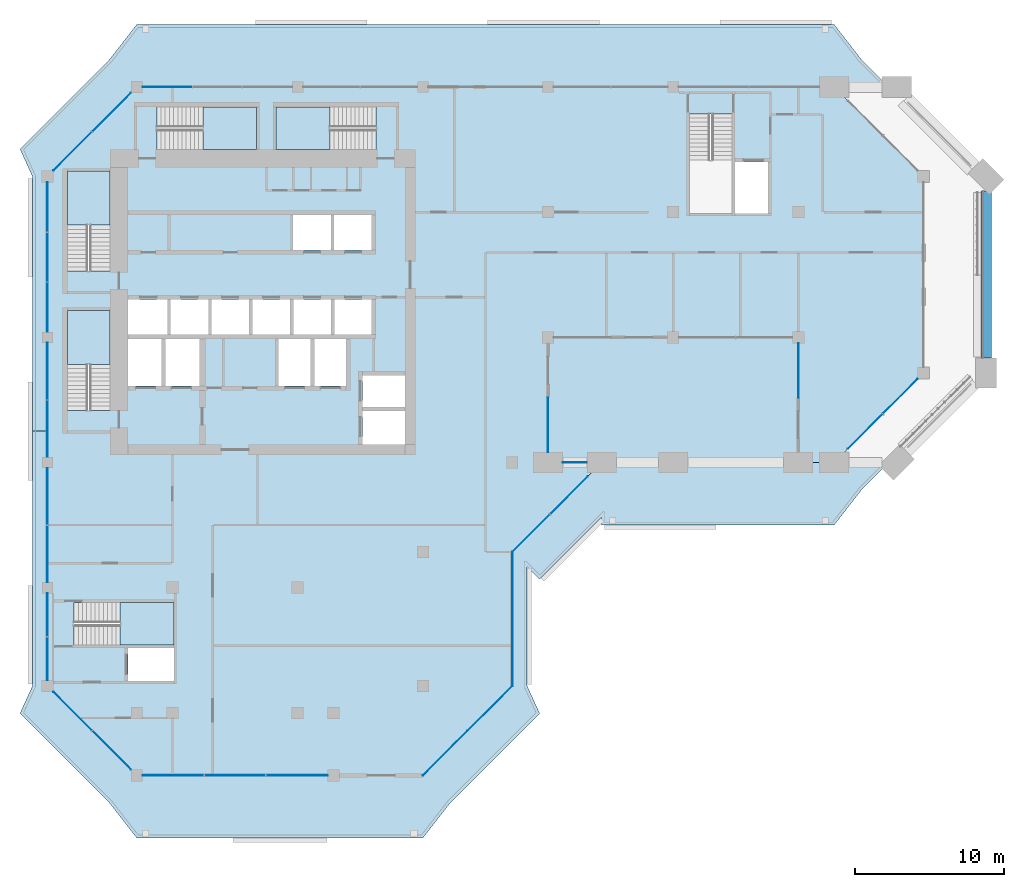
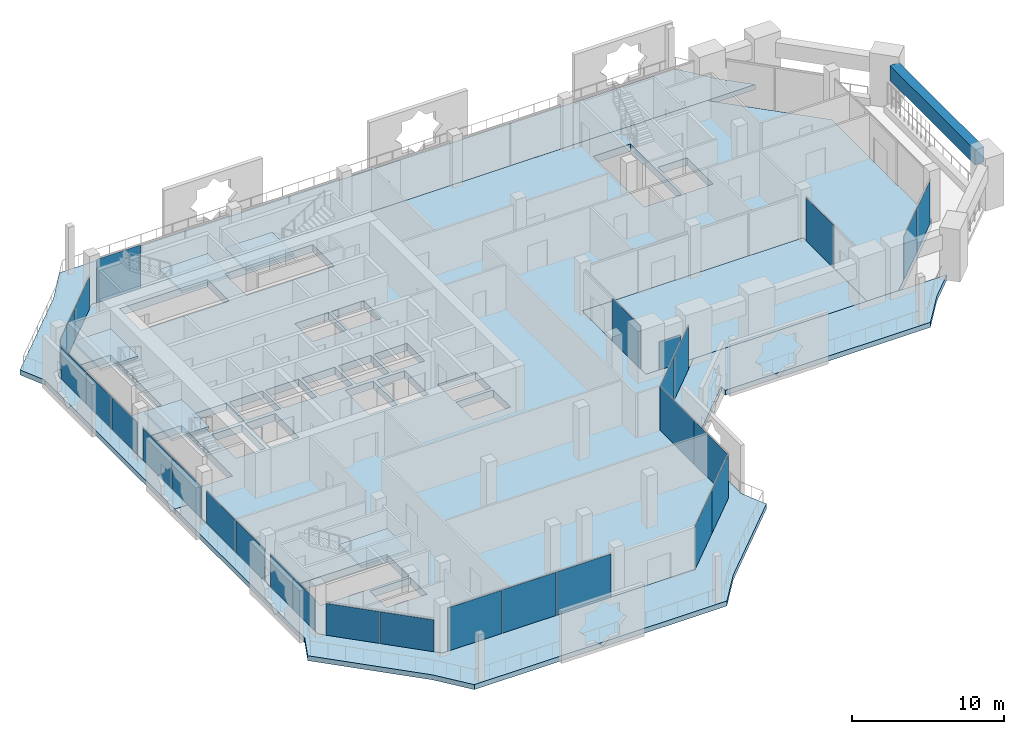
# One storey, part 9 of 20: 28 plates, 9 slabs, 1 beam, 17 elements without a shape of their own.
"""IFC4 building model written with IfcOpenShell, lengths in metres."""

from ifc_helpers import new_model, si_unit, direction, frame, origin, origin_2d, place, context, subcontext, project, spatial, polyline, rectangle, outline, extrude, material, layer, layer_set, material_profile, profile_set, type_object, element, aggregate, save


model = new_model("IFC4")

# Units and contexts
model_context = context("Model", 3, precision=1e-05, world=origin(), true_north=direction((0.0, 1.0)))
body_context = subcontext(model_context, "Body", "Model", "MODEL_VIEW")
ifc_project = project(units=[si_unit("LENGTHUNIT", "METRE"), si_unit("AREAUNIT", "SQUARE_METRE"), si_unit("VOLUMEUNIT", "CUBIC_METRE"), si_unit("PLANEANGLEUNIT", "RADIAN"), si_unit("MASSUNIT", "GRAM", prefix="KILO")], contexts=[model_context])

# Site, building, storey
site_placement = place(None, origin())
site = spatial("IfcSite", under=ifc_project, at=site_placement, CompositionType="ELEMENT")
building_placement = place(site_placement, origin())
building = spatial("IfcBuilding", under=site, at=building_placement, Name="Kawkab Arch Medical Tower", CompositionType="ELEMENT")
storey_placement = place(building_placement, frame((0.0, 0.0, 277.60009765625)))
storey = spatial("IfcBuildingStorey", under=building, at=storey_placement, Name="L64", CompositionType="ELEMENT", Elevation=277.60009765625)

# Beam
ifc_material_1 = material(Name="Concrete C40/50", Category="concrete")
ifc_material_profile = material_profile(ifc_material_1, rectangle(XDim=0.699951171875, YDim=1.199951171875, at=origin_2d()), Name="RC 700x1200")
ifc_profile_set = profile_set([ifc_material_profile], Name="Concrete C40/50")
beam_type = type_object("IfcBeamType", Name="RC 700x1200 beam C40/50", PredefinedType="BEAM", material=ifc_profile_set)
beam_placement = place(storey_placement, frame((63.0, -6.989990234375, 3.0), z_axis=(0.0, -1.0, 0.0), x_axis=(1.0, 0.0, 0.0)))
element("IfcBeam", 1, at=beam_placement, inside=storey, type_object=beam_type, Name="Terrace frame beam TF-L64-2-L65-03", PredefinedType="BEAM", context=body_context, shape_type="SweptSolid", body=[
    extrude(rectangle(XDim=0.699951171875, YDim=1.199951171875, at=origin_2d()), origin(), (0.0, 0.0, 1.0), 11.2099609375),
])

# Curtain wall, plate
ifc_material_2 = material(Name="Bronze anodised aluminium curtain wall frame", Category="aluminium")
ifc_layer_1 = layer(ifc_material_2, 0.159912109375)
ifc_layer_set_1 = layer_set([ifc_layer_1], Name="Bronze anodised aluminium curtain wall frame")
curtain_wall_type_1 = type_object("IfcCurtainWallType", Name="CW1 ward curtain wall", PredefinedType="NOTDEFINED", material=ifc_layer_set_1)
placement_1 = place(storey_placement, origin())
curtain_wall_1 = element("IfcCurtainWall", 2, at=placement_1, inside=storey, type_object=curtain_wall_type_1, Name="CW1 Ward curtain wall R10", PredefinedType="NOTDEFINED")
ifc_material_3 = material(Name="Tinted insulating glass, bronze low-e coating", Category="glass")
ifc_layer_2 = layer(ifc_material_3, 0.031982421875)
ifc_layer_set_2 = layer_set([ifc_layer_2], Name="Tinted insulating glass, bronze low-e coating")
plate_type_1 = type_object("IfcPlateType", Name="CW1 glazing unit 32", PredefinedType="CURTAIN_PANEL", material=ifc_layer_set_2)
plate_1_placement = place(storey_placement, frame((8.055908203125, 0.0, 0.0), z_axis=(0.0, 0.0, 1.0), x_axis=(-1.0, 0.0, 0.0)))
plate_1 = element("IfcPlate", 3, at=plate_1_placement, type_object=plate_type_1, Name="CW1 glazing unit 5.3", PredefinedType="CURTAIN_PANEL", context=body_context, shape_type="SweptSolid", body=[
    extrude(rectangle(XDim=3.311767578125, YDim=0.031982421875, at=origin_2d()), origin(), (0.0, 0.0, 1.0), 3.47998046875),
])
aggregate(curtain_wall_1, [plate_1])

# Curtain wall, plates
curtain_wall_2 = element("IfcCurtainWall", 4, at=placement_1, inside=storey, type_object=curtain_wall_type_1, Name="CW1 Ward curtain wall R12", PredefinedType="NOTDEFINED")
plate_2_placement = place(storey_placement, frame((0.0, -8.055908203125, -0.000244140625), z_axis=(0.0, 0.0, 1.0), x_axis=(0.0, -1.0, 0.0)))
plate_2 = element("IfcPlate", 5, at=plate_2_placement, type_object=plate_type_1, Name="CW1 glazing unit 1.1", PredefinedType="CURTAIN_PANEL", context=body_context, shape_type="SweptSolid", body=[
    extrude(rectangle(XDim=3.311767578125, YDim=0.031982421875, at=origin_2d()), origin(), (0.0, 0.0, 1.0), 2.580078125),
])
plate_3_placement = place(storey_placement, frame((0.0, -11.41259765625, -0.000244140625), z_axis=(0.0, 0.0, 1.0), x_axis=(0.0, -1.0, 0.0)))
plate_3 = element("IfcPlate", 6, at=plate_3_placement, type_object=plate_type_1, Name="CW1 glazing unit 1.2", PredefinedType="CURTAIN_PANEL", context=body_context, shape_type="SweptSolid", body=[
    extrude(rectangle(XDim=3.28173828125, YDim=0.031982421875, at=origin_2d()), origin(), (0.0, 0.0, 1.0), 2.580078125),
])
plate_4_placement = place(storey_placement, frame((0.0, -14.769287109375, -0.000244140625), z_axis=(0.0, 0.0, 1.0), x_axis=(0.0, -1.0, 0.0)))
plate_4 = element("IfcPlate", 7, at=plate_4_placement, type_object=plate_type_1, Name="CW1 glazing unit 1.3", PredefinedType="CURTAIN_PANEL", context=body_context, shape_type="SweptSolid", body=[
    extrude(rectangle(XDim=3.311767578125, YDim=0.031982421875, at=origin_2d()), origin(), (0.0, 0.0, 1.0), 2.580078125),
])
plate_5_placement = place(storey_placement, frame((0.0, -19.072509765625, -0.000244140625), z_axis=(0.0, 0.0, 1.0), x_axis=(0.0, -1.0, 0.0)))
plate_5 = element("IfcPlate", 8, at=plate_5_placement, type_object=plate_type_1, Name="CW1 glazing unit 2.1", PredefinedType="CURTAIN_PANEL", context=body_context, shape_type="SweptSolid", body=[
    extrude(rectangle(XDim=3.794921875, YDim=0.031982421875, at=origin_2d()), origin(), (0.0, 0.0, 1.0), 2.580078125),
])
plate_6_placement = place(storey_placement, frame((0.0, -22.927490234375, -0.000244140625), z_axis=(0.0, 0.0, 1.0), x_axis=(0.0, -1.0, 0.0)))
plate_6 = element("IfcPlate", 9, at=plate_6_placement, type_object=plate_type_1, Name="CW1 glazing unit 2.2", PredefinedType="CURTAIN_PANEL", context=body_context, shape_type="SweptSolid", body=[
    extrude(rectangle(XDim=3.794921875, YDim=0.031982421875, at=origin_2d()), origin(), (0.0, 0.0, 1.0), 2.580078125),
])
plate_7_placement = place(storey_placement, frame((0.0, -27.472412109375, -0.000244140625), z_axis=(0.0, 0.0, 1.0), x_axis=(0.0, -1.0, 0.0)))
plate_7 = element("IfcPlate", 10, at=plate_7_placement, type_object=plate_type_1, Name="CW1 glazing unit 3.1", PredefinedType="CURTAIN_PANEL", context=body_context, shape_type="SweptSolid", body=[
    extrude(rectangle(XDim=3.794921875, YDim=0.031982421875, at=origin_2d()), origin(), (0.0, 0.0, 1.0), 2.580078125),
])
plate_8_placement = place(storey_placement, frame((0.0, -31.327392578125, -0.000244140625), z_axis=(0.0, 0.0, 1.0), x_axis=(0.0, -1.0, 0.0)))
plate_8 = element("IfcPlate", 11, at=plate_8_placement, type_object=plate_type_1, Name="CW1 glazing unit 3.2", PredefinedType="CURTAIN_PANEL", context=body_context, shape_type="SweptSolid", body=[
    extrude(rectangle(XDim=3.794921875, YDim=0.031982421875, at=origin_2d()), origin(), (0.0, 0.0, 1.0), 2.580078125),
])
plate_9_placement = place(storey_placement, frame((0.0, -35.416259765625, -0.000244140625), z_axis=(0.0, 0.0, 1.0), x_axis=(0.0, -1.0, 0.0)))
plate_9 = element("IfcPlate", 12, at=plate_9_placement, type_object=plate_type_1, Name="CW1 glazing unit 4.1", PredefinedType="CURTAIN_PANEL", context=body_context, shape_type="SweptSolid", body=[
    extrude(rectangle(XDim=2.882568359375, YDim=0.031982421875, at=origin_2d()), origin(), (0.0, 0.0, 1.0), 2.580078125),
])
plate_10_placement = place(storey_placement, frame((0.0, -38.358642578125, -0.000244140625), z_axis=(0.0, 0.0, 1.0), x_axis=(0.0, -1.0, 0.0)))
plate_10 = element("IfcPlate", 13, at=plate_10_placement, type_object=plate_type_1, Name="CW1 glazing unit 4.2", PredefinedType="CURTAIN_PANEL", context=body_context, shape_type="SweptSolid", body=[
    extrude(rectangle(XDim=2.882568359375, YDim=0.031982421875, at=origin_2d()), origin(), (0.0, 0.0, 1.0), 2.580078125),
])
aggregate(curtain_wall_2, [plate_2, plate_3, plate_4, plate_5, plate_6, plate_7, plate_8, plate_9, plate_10])

curtain_wall_3 = element("IfcCurtainWall", 14, at=placement_1, inside=storey, type_object=curtain_wall_type_1, Name="CW1 Ward curtain wall R14", PredefinedType="NOTDEFINED")
plate_11_placement = place(storey_placement, frame((8.45166015625, -46.199951171875, 0.0), z_axis=(0.0, 0.0, 1.0), x_axis=(1.0, 0.0, 0.0)))
plate_11 = element("IfcPlate", 15, at=plate_11_placement, type_object=plate_type_1, Name="CW1 glazing unit 1.1", PredefinedType="CURTAIN_PANEL", context=body_context, shape_type="SweptSolid", body=[
    extrude(rectangle(XDim=4.103271484375, YDim=0.031982421875, at=origin_2d()), origin(), (0.0, 0.0, 1.0), 3.47998046875),
])
plate_12_placement = place(storey_placement, frame((12.60009765625, -46.199951171875, 0.0), z_axis=(0.0, 0.0, 1.0), x_axis=(1.0, 0.0, 0.0)))
plate_12 = element("IfcPlate", 16, at=plate_12_placement, type_object=plate_type_1, Name="CW1 glazing unit 1.2", PredefinedType="CURTAIN_PANEL", context=body_context, shape_type="SweptSolid", body=[
    extrude(rectangle(XDim=4.0732421875, YDim=0.031982421875, at=origin_2d()), origin(), (0.0, 0.0, 1.0), 3.47998046875),
])
plate_13_placement = place(storey_placement, frame((16.748291015625, -46.199951171875, 0.0), z_axis=(0.0, 0.0, 1.0), x_axis=(1.0, 0.0, 0.0)))
plate_13 = element("IfcPlate", 17, at=plate_13_placement, type_object=plate_type_1, Name="CW1 glazing unit 1.3", PredefinedType="CURTAIN_PANEL", context=body_context, shape_type="SweptSolid", body=[
    extrude(rectangle(XDim=4.103271484375, YDim=0.031982421875, at=origin_2d()), origin(), (0.0, 0.0, 1.0), 3.47998046875),
])
aggregate(curtain_wall_3, [plate_11, plate_12, plate_13])

curtain_wall_4 = element("IfcCurtainWall", 18, at=placement_1, inside=storey, type_object=curtain_wall_type_1, Name="CW1 Ward curtain wall R16", PredefinedType="NOTDEFINED")
plate_14_placement = place(storey_placement, frame((31.199951171875, -37.949951171875, 0.0), z_axis=(0.0, 0.0, 1.0), x_axis=(0.0, 1.0, 0.0)))
plate_14 = element("IfcPlate", 19, at=plate_14_placement, type_object=plate_type_1, Name="CW1 glazing unit 1.1", PredefinedType="CURTAIN_PANEL", context=body_context, shape_type="SweptSolid", body=[
    extrude(rectangle(XDim=4.5, YDim=0.031982421875, at=origin_2d()), origin(), (0.0, 0.0, 1.0), 3.47998046875),
])
plate_15_placement = place(storey_placement, frame((31.199951171875, -33.449951171875, 0.0), z_axis=(0.0, 0.0, 1.0), x_axis=(0.0, 1.0, 0.0)))
plate_15 = element("IfcPlate", 20, at=plate_15_placement, type_object=plate_type_1, Name="CW1 glazing unit 2.1", PredefinedType="CURTAIN_PANEL", context=body_context, shape_type="SweptSolid", body=[
    extrude(rectangle(XDim=4.5, YDim=0.031982421875, at=origin_2d()), origin(), (0.0, 0.0, 1.0), 3.47998046875),
])
aggregate(curtain_wall_4, [plate_14, plate_15])

ifc_material_4 = material(Name="Bronze anodised aluminium curtain wall frame", Category="aluminium")
ifc_layer_3 = layer(ifc_material_4, 0.159912109375)
ifc_layer_set_3 = layer_set([ifc_layer_3], Name="Bronze anodised aluminium curtain wall frame")
curtain_wall_type_2 = type_object("IfcCurtainWallType", Name="CW2 chamfer curtain wall", PredefinedType="NOTDEFINED", material=ifc_layer_set_3)
curtain_wall_5 = element("IfcCurtainWall", 21, at=placement_1, inside=storey, type_object=curtain_wall_type_2, Name="CW2 Chamfer curtain wall R01", PredefinedType="NOTDEFINED")
ifc_material_5 = material(Name="Tinted insulating glass, bronze low-e coating", Category="glass")
ifc_layer_4 = layer(ifc_material_5, 0.031982421875)
ifc_layer_set_4 = layer_set([ifc_layer_4], Name="Tinted insulating glass, bronze low-e coating")
plate_type_2 = type_object("IfcPlateType", Name="CW2 glazing unit 32", PredefinedType="CURTAIN_PANEL", material=ifc_layer_set_4)
plate_16_placement = place(storey_placement, frame((32.456787109375, -29.943115234375, 0.0), z_axis=(0.0, 0.0, 1.0), x_axis=(0.707106781187, 0.707106781187, 0.0)))
plate_16 = element("IfcPlate", 22, at=plate_16_placement, type_object=plate_type_2, Name="CW2 glazing unit 1.1", PredefinedType="CURTAIN_PANEL", context=body_context, shape_type="SweptSolid", body=[
    extrude(rectangle(XDim=3.5546875, YDim=0.031982421875, at=origin_2d()), origin(), (0.0, 0.0, 1.0), 3.4599609375),
])
plate_17_placement = place(storey_placement, frame((35.012939453125, -27.38720703125, 0.0), z_axis=(0.0, 0.0, 1.0), x_axis=(0.707106781187, 0.707106781187, 0.0)))
plate_17 = element("IfcPlate", 23, at=plate_17_placement, type_object=plate_type_2, Name="CW2 glazing unit 1.2", PredefinedType="CURTAIN_PANEL", context=body_context, shape_type="SweptSolid", body=[
    extrude(rectangle(XDim=3.5546875, YDim=0.031982421875, at=origin_2d()), origin(), (0.0, 0.0, 1.0), 3.4599609375),
])
aggregate(curtain_wall_5, [plate_16, plate_17])

curtain_wall_6 = element("IfcCurtainWall", 24, at=placement_1, inside=storey, type_object=curtain_wall_type_2, Name="CW2 Chamfer curtain wall R07", PredefinedType="NOTDEFINED")
plate_18_placement = place(storey_placement, frame((54.88720703125, -23.11279296875, 0.0), z_axis=(0.0, 0.0, 1.0), x_axis=(0.707106781187, 0.707106781187, 0.0)))
plate_18 = element("IfcPlate", 25, at=plate_18_placement, type_object=plate_type_2, Name="CW2 glazing unit 1.1", PredefinedType="CURTAIN_PANEL", context=body_context, shape_type="SweptSolid", body=[
    extrude(rectangle(XDim=3.27197265625, YDim=0.031982421875, at=origin_2d()), origin(), (0.0, 0.0, 1.0), 3.4599609375),
])
plate_19_placement = place(storey_placement, frame((57.2431640625, -20.7568359375, 0.0), z_axis=(0.0, 0.0, 1.0), x_axis=(0.707106781187, 0.707106781187, 0.0)))
plate_19 = element("IfcPlate", 26, at=plate_19_placement, type_object=plate_type_2, Name="CW2 glazing unit 1.2", PredefinedType="CURTAIN_PANEL", context=body_context, shape_type="SweptSolid", body=[
    extrude(rectangle(XDim=3.27197265625, YDim=0.031982421875, at=origin_2d()), origin(), (0.0, 0.0, 1.0), 3.4599609375),
])
aggregate(curtain_wall_6, [plate_18, plate_19])

curtain_wall_7 = element("IfcCurtainWall", 27, at=placement_1, inside=storey, type_object=curtain_wall_type_2, Name="CW2 Chamfer curtain wall R11", PredefinedType="NOTDEFINED")
plate_20_placement = place(storey_placement, frame((4.310546875, -1.689453125, -0.000244140625), z_axis=(0.0, 0.0, 1.0), x_axis=(-0.707106781187, -0.707106781187, 0.0)))
plate_20 = element("IfcPlate", 28, at=plate_20_placement, type_object=plate_type_2, Name="CW2 glazing unit 1.1", PredefinedType="CURTAIN_PANEL", context=body_context, shape_type="SweptSolid", body=[
    extrude(rectangle(XDim=3.64697265625, YDim=0.031982421875, at=origin_2d()), origin(), (0.0, 0.0, 1.0), 2.56005859375),
])
plate_21_placement = place(storey_placement, frame((1.689453125, -4.310546875, -0.000244140625), z_axis=(0.0, 0.0, 1.0), x_axis=(-0.707106781187, -0.707106781187, 0.0)))
plate_21 = element("IfcPlate", 29, at=plate_21_placement, type_object=plate_type_2, Name="CW2 glazing unit 1.2", PredefinedType="CURTAIN_PANEL", context=body_context, shape_type="SweptSolid", body=[
    extrude(rectangle(XDim=3.64697265625, YDim=0.031982421875, at=origin_2d()), origin(), (0.0, 0.0, 1.0), 2.56005859375),
])
aggregate(curtain_wall_7, [plate_20, plate_21])

curtain_wall_8 = element("IfcCurtainWall", 30, at=placement_1, inside=storey, type_object=curtain_wall_type_2, Name="CW2 Chamfer curtain wall R13", PredefinedType="NOTDEFINED")
plate_22_placement = place(storey_placement, frame((1.689453125, -41.889404296875, -0.000244140625), z_axis=(0.0, 0.0, 1.0), x_axis=(0.707106781187, -0.707106781187, 0.0)))
plate_22 = element("IfcPlate", 31, at=plate_22_placement, type_object=plate_type_2, Name="CW2 glazing unit 1.1", PredefinedType="CURTAIN_PANEL", context=body_context, shape_type="SweptSolid", body=[
    extrude(rectangle(XDim=3.64697265625, YDim=0.031982421875, at=origin_2d()), origin(), (0.0, 0.0, 1.0), 2.56005859375),
])
plate_23_placement = place(storey_placement, frame((4.310546875, -44.510498046875, -0.000244140625), z_axis=(0.0, 0.0, 1.0), x_axis=(0.707106781187, -0.707106781187, 0.0)))
plate_23 = element("IfcPlate", 32, at=plate_23_placement, type_object=plate_type_2, Name="CW2 glazing unit 1.2", PredefinedType="CURTAIN_PANEL", context=body_context, shape_type="SweptSolid", body=[
    extrude(rectangle(XDim=3.64697265625, YDim=0.031982421875, at=origin_2d()), origin(), (0.0, 0.0, 1.0), 2.56005859375),
])
aggregate(curtain_wall_8, [plate_22, plate_23])

curtain_wall_9 = element("IfcCurtainWall", 33, at=placement_1, inside=storey, type_object=curtain_wall_type_2, Name="CW2 Chamfer curtain wall R15", PredefinedType="NOTDEFINED")
plate_24_placement = place(storey_placement, frame((26.699951171875, -44.699951171875, 0.0), z_axis=(0.0, 0.0, 1.0), x_axis=(0.707106781187, 0.707106781187, 0.0)))
plate_24 = element("IfcPlate", 34, at=plate_24_placement, type_object=plate_type_2, Name="CW2 glazing unit 1.1", PredefinedType="CURTAIN_PANEL", context=body_context, shape_type="SweptSolid", body=[
    extrude(rectangle(XDim=4.24267578125, YDim=0.031982421875, at=origin_2d()), origin(), (0.0, 0.0, 1.0), 3.4599609375),
])
plate_25_placement = place(storey_placement, frame((29.699951171875, -41.699951171875, 0.0), z_axis=(0.0, 0.0, 1.0), x_axis=(0.707106781187, 0.707106781187, 0.0)))
plate_25 = element("IfcPlate", 35, at=plate_25_placement, type_object=plate_type_2, Name="CW2 glazing unit 2.1", PredefinedType="CURTAIN_PANEL", context=body_context, shape_type="SweptSolid", body=[
    extrude(rectangle(XDim=4.24267578125, YDim=0.031982421875, at=origin_2d()), origin(), (0.0, 0.0, 1.0), 3.4599609375),
])
aggregate(curtain_wall_9, [plate_24, plate_25])

# Curtain wall, plate
ifc_material_6 = material(Name="Bronze anodised aluminium curtain wall frame", Category="aluminium")
ifc_layer_5 = layer(ifc_material_6, 0.159912109375)
ifc_layer_set_5 = layer_set([ifc_layer_5], Name="Bronze anodised aluminium curtain wall frame")
curtain_wall_type_3 = type_object("IfcCurtainWallType", Name="CW3 sky garden curtain wall", PredefinedType="NOTDEFINED", material=ifc_layer_set_5)
curtain_wall_10 = element("IfcCurtainWall", 36, at=placement_1, inside=storey, type_object=curtain_wall_type_3, Name="CW3 Sky garden curtain wall R02", PredefinedType="NOTDEFINED")
ifc_material_7 = material(Name="Tinted laminated insulating glass, grey-green", Category="glass")
ifc_layer_6 = layer(ifc_material_7, 0.035888671875)
ifc_layer_set_6 = layer_set([ifc_layer_6], Name="Tinted laminated insulating glass, grey-green")
plate_type_3 = type_object("IfcPlateType", Name="CW3 glazing unit 36", PredefinedType="CURTAIN_PANEL", material=ifc_layer_set_6)
plate_26_placement = place(storey_placement, frame((35.39990234375, -25.199951171875, 0.0), z_axis=(0.0, 0.0, 1.0), x_axis=(-1.0, 0.0, 0.0)))
plate_26 = element("IfcPlate", 37, at=plate_26_placement, type_object=plate_type_3, Name="CW3 glazing unit 1.1", PredefinedType="CURTAIN_PANEL", context=body_context, shape_type="SweptSolid", body=[
    extrude(rectangle(XDim=1.60009765625, YDim=0.035888671875, at=origin_2d()), origin(), (0.0, 0.0, 1.0), 2.260009765625),
])
aggregate(curtain_wall_10, [plate_26])

curtain_wall_11 = element("IfcCurtainWall", 38, at=placement_1, inside=storey, type_object=curtain_wall_type_3, Name="CW3 Sky garden curtain wall R03", PredefinedType="NOTDEFINED")
plate_27_placement = place(storey_placement, frame((33.60009765625, -22.675048828125, 0.0), z_axis=(0.0, 0.0, 1.0), x_axis=(0.0, 1.0, 0.0)))
plate_27 = element("IfcPlate", 39, at=plate_27_placement, type_object=plate_type_3, Name="CW3 glazing unit 1.1", PredefinedType="CURTAIN_PANEL", context=body_context, shape_type="SweptSolid", body=[
    extrude(rectangle(XDim=3.64990234375, YDim=0.035888671875, at=origin_2d()), origin(), (0.0, 0.0, 1.0), 3.4599609375),
])
aggregate(curtain_wall_11, [plate_27])

curtain_wall_12 = element("IfcCurtainWall", 40, at=placement_1, inside=storey, type_object=curtain_wall_type_3, Name="CW3 Sky garden curtain wall R05", PredefinedType="NOTDEFINED")
plate_28_placement = place(storey_placement, frame((50.39990234375, -19.02490234375, 0.0), z_axis=(0.0, 0.0, 1.0), x_axis=(0.0, -1.0, 0.0)))
plate_28 = element("IfcPlate", 41, at=plate_28_placement, type_object=plate_type_3, Name="CW3 glazing unit 1.1", PredefinedType="CURTAIN_PANEL", context=body_context, shape_type="SweptSolid", body=[
    extrude(rectangle(XDim=3.64990234375, YDim=0.035888671875, at=origin_2d()), origin(), (0.0, 0.0, 1.0), 3.4599609375),
])
aggregate(curtain_wall_12, [plate_28])

# Stair, slab
ifc_material_8 = material(Name="Concrete C40/50", Category="concrete")
stair_type = type_object("IfcStairType", Name="Exit stair 1350", PredefinedType="HALF_TURN_STAIR", material=ifc_material_8)
stair_1 = element("IfcStair", 42, at=placement_1, inside=storey, type_object=stair_type, Name="L64 Exit stair ST1", PredefinedType="HALF_TURN_STAIR")
ifc_material_9 = material(Name="Concrete C40/50", Category="concrete")
ifc_layer_7 = layer(ifc_material_9, 0.199951171875)
ifc_layer_set_7 = layer_set([ifc_layer_7], Name="Concrete C40/50")
slab_type_1 = type_object("IfcSlabType", Name="Exit stair landing 200", PredefinedType="LANDING", material=ifc_layer_set_7)
placement_2 = place(storey_placement, frame((0.0, 0.0, 1.89990234375)))
slab_1 = element("IfcSlab", 43, at=placement_2, type_object=slab_type_1, Name="ST1 landing 1", PredefinedType="LANDING", context=body_context, shape_type="SweptSolid", body=[
    extrude(outline(polyline([(4.199951171875, -9.27001953125), (4.199951171875, -5.64990234375), (1.35009765625, -5.64990234375), (1.35009765625, -9.27001953125), (4.199951171875, -9.27001953125)])), origin(), (0.0, 0.0, 1.0), 0.199951171875),
])
aggregate(stair_1, [slab_1])

stair_2 = element("IfcStair", 44, at=placement_1, inside=storey, type_object=stair_type, Name="L64 Exit stair ST2", PredefinedType="HALF_TURN_STAIR")
slab_2 = element("IfcSlab", 45, at=placement_2, type_object=slab_type_1, Name="ST2 landing 1", PredefinedType="LANDING", context=body_context, shape_type="SweptSolid", body=[
    extrude(outline(polyline([(4.199951171875, -18.6201171875), (4.199951171875, -15.0), (1.35009765625, -15.0), (1.35009765625, -18.6201171875), (4.199951171875, -18.6201171875)])), origin(), (0.0, 0.0, 1.0), 0.199951171875),
])
aggregate(stair_2, [slab_2])

stair_3 = element("IfcStair", 46, at=placement_1, inside=storey, type_object=stair_type, Name="L64 Exit stair ST3", PredefinedType="HALF_TURN_STAIR")
slab_3 = element("IfcSlab", 47, at=placement_2, type_object=slab_type_1, Name="ST3 landing 1", PredefinedType="LANDING", context=body_context, shape_type="SweptSolid", body=[
    extrude(outline(polyline([(10.429931640625, -4.199951171875), (14.050048828125, -4.199951171875), (14.050048828125, -1.35009765625), (10.429931640625, -1.35009765625), (10.429931640625, -4.199951171875)])), origin(), (0.0, 0.0, 1.0), 0.199951171875),
])
aggregate(stair_3, [slab_3])

stair_4 = element("IfcStair", 48, at=placement_1, inside=storey, type_object=stair_type, Name="L64 Exit stair ST4", PredefinedType="HALF_TURN_STAIR")
slab_4 = element("IfcSlab", 49, at=placement_2, type_object=slab_type_1, Name="ST4 landing 1", PredefinedType="LANDING", context=body_context, shape_type="SweptSolid", body=[
    extrude(outline(polyline([(18.969970703125, -1.35009765625), (15.35009765625, -1.35009765625), (15.35009765625, -4.199951171875), (18.969970703125, -4.199951171875), (18.969970703125, -1.35009765625)])), origin(), (0.0, 0.0, 1.0), 0.199951171875),
])
aggregate(stair_4, [slab_4])

stair_5 = element("IfcStair", 50, at=placement_1, inside=storey, type_object=stair_type, Name="L64 Exit stair ST6", PredefinedType="HALF_TURN_STAIR")
slab_5 = element("IfcSlab", 51, at=placement_2, type_object=slab_type_1, Name="ST6 landing 1", PredefinedType="LANDING", context=body_context, shape_type="SweptSolid", body=[
    extrude(outline(polyline([(4.8798828125, -37.449951171875), (8.5, -37.449951171875), (8.5, -34.60009765625), (4.8798828125, -34.60009765625), (4.8798828125, -37.449951171875)])), origin(), (0.0, 0.0, 1.0), 0.199951171875),
])
aggregate(stair_5, [slab_5])

# Slabs
ifc_material_10 = material(Name="Concrete C45/55", Category="concrete")
ifc_layer_8 = layer(ifc_material_10, 0.60009765625)
ifc_layer_set_8 = layer_set([ifc_layer_8], Name="Concrete C45/55")
slab_type_2 = type_object("IfcSlabType", Name="Flat plate 600 C45/55", PredefinedType="FLOOR", material=ifc_layer_set_8)
slab_6_placement = place(storey_placement, frame((0.0, 0.0, -0.60009765625)))
element("IfcSlab", 52, at=slab_6_placement, inside=storey, type_object=slab_type_2, Name="Floor slab L64", PredefinedType="FLOOR", context=body_context, shape_type="SweptSolid", body=[
    extrude(outline(polyline([(31.199951171875, -40.199951171875), (25.199951171875, -46.199951171875), (6.0, -46.199951171875), (0.0, -40.199951171875), (0.0, -6.0), (6.0, 0.0), (52.800048828125, 0.0), (58.800048828125, -6.0), (58.800048828125, -19.199951171875), (52.800048828125, -25.199951171875), (50.39990234375, -25.199951171875), (50.39990234375, -16.800048828125), (33.60009765625, -16.800048828125), (33.60009765625, -25.199951171875), (37.199951171875, -25.199951171875), (31.199951171875, -31.199951171875), (31.199951171875, -40.199951171875)]), holes=[polyline([(5.425048828125, -37.64990234375), (5.425048828125, -39.85009765625), (8.5, -39.85009765625), (8.5, -37.64990234375), (5.425048828125, -37.64990234375)]), polyline([(8.5, -37.449951171875), (8.5, -34.60009765625), (1.800048828125, -34.60009765625), (1.800048828125, -37.449951171875), (8.5, -37.449951171875)]), polyline([(5.39990234375, -20.050048828125), (7.675048828125, -20.050048828125), (7.675048828125, -16.89990234375), (5.39990234375, -16.89990234375), (5.39990234375, -20.050048828125)]), polyline([(10.199951171875, -20.050048828125), (10.199951171875, -16.89990234375), (7.925048828125, -16.89990234375), (7.925048828125, -20.050048828125), (10.199951171875, -20.050048828125)]), polyline([(4.199951171875, -21.699951171875), (4.199951171875, -15.0), (1.35009765625, -15.0), (1.35009765625, -21.699951171875), (4.199951171875, -21.699951171875)]), polyline([(5.39990234375, -16.60009765625), (8.050048828125, -16.60009765625), (8.050048828125, -14.25), (5.39990234375, -14.25), (5.39990234375, -16.60009765625)]), polyline([(8.25, -16.60009765625), (10.800048828125, -16.60009765625), (10.800048828125, -14.25), (8.25, -14.25), (8.25, -16.60009765625)]), polyline([(11.0, -14.25), (11.0, -16.60009765625), (13.52490234375, -16.60009765625), (13.52490234375, -14.25), (11.0, -14.25)]), polyline([(13.77490234375, -16.60009765625), (16.27490234375, -16.60009765625), (16.27490234375, -14.25), (13.77490234375, -14.25), (13.77490234375, -16.60009765625)]), polyline([(4.199951171875, -12.35009765625), (4.199951171875, -5.64990234375), (1.35009765625, -5.64990234375), (1.35009765625, -12.35009765625), (4.199951171875, -12.35009765625)]), polyline([(7.35009765625, -4.199951171875), (14.050048828125, -4.199951171875), (14.050048828125, -1.35009765625), (7.35009765625, -1.35009765625), (7.35009765625, -4.199951171875)]), polyline([(24.0, -21.72509765625), (21.14990234375, -21.72509765625), (21.14990234375, -24.0), (24.0, -24.0), (24.0, -21.72509765625)]), polyline([(24.0, -19.35009765625), (21.14990234375, -19.35009765625), (21.14990234375, -21.47509765625), (24.0, -21.47509765625), (24.0, -19.35009765625)]), polyline([(17.675048828125, -16.89990234375), (15.52490234375, -16.89990234375), (15.52490234375, -20.050048828125), (17.675048828125, -20.050048828125), (17.675048828125, -16.89990234375)]), polyline([(20.050048828125, -20.050048828125), (20.050048828125, -16.89990234375), (17.925048828125, -16.89990234375), (17.925048828125, -20.050048828125), (20.050048828125, -20.050048828125)]), polyline([(19.02490234375, -16.60009765625), (19.02490234375, -14.25), (16.52490234375, -14.25), (16.52490234375, -16.60009765625), (19.02490234375, -16.60009765625)]), polyline([(21.75, -16.60009765625), (21.75, -14.25), (19.27490234375, -14.25), (19.27490234375, -16.60009765625), (21.75, -16.60009765625)]), polyline([(19.050048828125, -8.60009765625), (16.5, -8.60009765625), (16.5, -10.949951171875), (19.050048828125, -10.949951171875), (19.050048828125, -8.60009765625)]), polyline([(21.75, -10.949951171875), (21.75, -8.60009765625), (19.25, -8.60009765625), (19.25, -10.949951171875), (21.75, -10.949951171875)]), polyline([(46.14990234375, -8.5), (48.35009765625, -8.5), (48.35009765625, -5.02490234375), (46.14990234375, -5.02490234375), (46.14990234375, -8.5)]), polyline([(43.10009765625, -1.800048828125), (43.10009765625, -8.5), (45.949951171875, -8.5), (45.949951171875, -1.800048828125), (43.10009765625, -1.800048828125)]), polyline([(22.050048828125, -1.35009765625), (15.35009765625, -1.35009765625), (15.35009765625, -4.199951171875), (22.050048828125, -4.199951171875), (22.050048828125, -1.35009765625)])]), origin(), (0.0, 0.0, 1.0), 0.60009765625),
])
ifc_material_11 = material(Name="Concrete C40/50", Category="concrete")
ifc_layer_9 = layer(ifc_material_11, 0.39990234375)
ifc_layer_set_9 = layer_set([ifc_layer_9], Name="Concrete C40/50")
slab_type_3 = type_object("IfcSlabType", Name="Loggia slab 400", PredefinedType="FLOOR", material=ifc_layer_set_9)
placement_3 = place(storey_placement, frame((0.0, 0.0, -0.400146484375)))
element("IfcSlab", 53, at=placement_3, inside=storey, type_object=slab_type_3, Name="Loggia slab L64.1", PredefinedType="FLOOR", context=body_context, shape_type="SweptSolid", body=[
    extrude(outline(polyline([(-1.0, -40.199951171875), (-1.0, -23.10009765625), (-0.0009765625, -23.10009765625), (-0.0009765625, -40.199951171875), (0.0, -40.199951171875), (6.0, -46.199951171875), (6.0, -46.200927734375), (25.199951171875, -46.200927734375), (25.199951171875, -46.199951171875), (31.199951171875, -40.199951171875), (31.199951171875, -35.699951171875), (31.199951171875, -31.199951171875), (37.199951171875, -25.200927734375), (50.39306640625, -25.200927734375), (50.39306640625, -25.199951171875), (52.800048828125, -25.199951171875), (52.81396484375, -25.18798828125), (52.81396484375, -25.194091796875), (52.81494140625, -25.194091796875), (52.81494140625, -25.196044921875), (52.81591796875, -25.197021484375), (52.818115234375, -25.198974609375), (52.819091796875, -25.199951171875), (52.821044921875, -25.199951171875), (52.821044921875, -25.200927734375), (56.47509765625, -25.200927734375), (54.637939453125, -27.0380859375), (52.800048828125, -29.39990234375), (37.199951171875, -29.39990234375), (37.199951171875, -28.8759765625), (33.0380859375, -33.037109375), (32.199951171875, -32.198974609375), (32.199951171875, -36.10009765625), (32.199951171875, -40.199951171875), (33.0380859375, -42.0380859375), (27.0380859375, -48.0380859375), (25.199951171875, -50.39990234375), (6.0, -50.39990234375), (4.162109375, -48.0380859375), (-1.837890625, -42.0380859375), (-1.0, -40.199951171875)])), origin(), (0.0, 0.0, 1.0), 0.400146484375),
])
element("IfcSlab", 54, at=placement_3, inside=storey, type_object=slab_type_3, Name="Loggia slab L64.2", PredefinedType="FLOOR", context=body_context, shape_type="SweptSolid", body=[
    extrude(outline(polyline([(4.162109375, 1.837890625), (6.0, 4.199951171875), (52.800048828125, 4.199951171875), (54.637939453125, 1.837890625), (56.47509765625, 0.0009765625), (52.821044921875, 0.0009765625), (52.821044921875, 0.0), (52.819091796875, 0.0), (52.818115234375, -0.0009765625), (52.81689453125, -0.001953125), (52.81494140625, -0.00390625), (52.81494140625, -0.006103515625), (52.81396484375, -0.006103515625), (52.81396484375, -0.011962890625), (52.800048828125, 0.0), (52.800048828125, 0.0009765625), (6.0, 0.0009765625), (6.0, 0.0), (0.0, -6.0), (-0.0009765625, -6.0), (-0.0009765625, -23.10009765625), (-1.0, -23.10009765625), (-1.0, -6.0), (-1.837890625, -4.162109375), (4.162109375, 1.837890625)])), origin(), (0.0, 0.0, 1.0), 0.400146484375),
])
ifc_material_12 = material(Name="Concrete C40/50", Category="concrete")
ifc_layer_10 = layer(ifc_material_12, 0.300048828125)
ifc_layer_set_10 = layer_set([ifc_layer_10], Name="Concrete C40/50")
slab_type_4 = type_object("IfcSlabType", Name="Terrace slab 300", PredefinedType="FLOOR", material=ifc_layer_set_10)
slab_9_placement = place(storey_placement, frame((0.0, 0.0, -0.300048828125)))
element("IfcSlab", 55, at=slab_9_placement, inside=storey, type_object=slab_type_4, Name="Sky garden slab L64.1", PredefinedType="FLOOR", context=body_context, shape_type="SweptSolid", body=[
    extrude(outline(polyline([(37.200927734375, -25.199951171875), (37.201904296875, -25.199951171875), (37.202880859375, -25.199951171875), (50.388916015625, -25.199951171875), (50.389892578125, -25.199951171875), (50.39111328125, -25.199951171875), (50.39208984375, -25.199951171875), (50.39306640625, -25.198974609375), (50.39404296875, -25.198974609375), (50.39501953125, -25.197998046875), (50.39599609375, -25.197998046875), (50.39697265625, -25.197021484375), (50.39697265625, -25.196044921875), (50.39794921875, -25.196044921875), (50.39794921875, -25.195068359375), (50.39892578125, -25.194091796875), (50.39892578125, -25.193115234375), (50.39892578125, -25.19189453125), (50.39892578125, -25.19091796875), (50.39892578125, -25.18994140625), (50.39892578125, -16.81103515625), (50.39892578125, -16.81005859375), (50.39892578125, -16.80908203125), (50.39892578125, -16.80810546875), (50.39892578125, -16.806884765625), (50.39794921875, -16.805908203125), (50.39794921875, -16.804931640625), (50.39697265625, -16.803955078125), (50.39697265625, -16.802978515625), (50.39599609375, -16.802978515625), (50.39501953125, -16.802001953125), (50.39404296875, -16.802001953125), (50.39306640625, -16.801025390625), (50.39208984375, -16.801025390625), (50.39111328125, -16.801025390625), (50.389892578125, -16.801025390625), (50.388916015625, -16.800048828125), (33.611083984375, -16.800048828125), (33.610107421875, -16.801025390625), (33.60888671875, -16.801025390625), (33.60791015625, -16.801025390625), (33.60693359375, -16.801025390625), (33.60595703125, -16.802001953125), (33.60498046875, -16.802001953125), (33.60400390625, -16.802978515625), (33.60302734375, -16.802978515625), (33.60302734375, -16.803955078125), (33.60205078125, -16.804931640625), (33.60205078125, -16.805908203125), (33.60107421875, -16.806884765625), (33.60107421875, -16.80810546875), (33.60107421875, -16.80908203125), (33.60107421875, -16.81005859375), (33.60107421875, -16.81103515625), (33.60107421875, -25.18896484375), (33.60107421875, -25.18994140625), (33.60107421875, -25.19091796875), (33.60107421875, -25.19189453125), (33.60107421875, -25.193115234375), (33.60205078125, -25.194091796875), (33.60205078125, -25.195068359375), (33.60302734375, -25.196044921875), (33.60302734375, -25.197021484375), (33.60400390625, -25.197021484375), (33.60498046875, -25.197998046875), (33.60595703125, -25.197998046875), (33.60693359375, -25.198974609375), (33.60791015625, -25.198974609375), (33.60888671875, -25.198974609375), (33.610107421875, -25.198974609375), (33.611083984375, -25.199951171875), (37.199951171875, -25.199951171875), (37.200927734375, -25.199951171875)])), origin(), (0.0, 0.0, 1.0), 0.300048828125),
])

save(model, "model.ifc")
